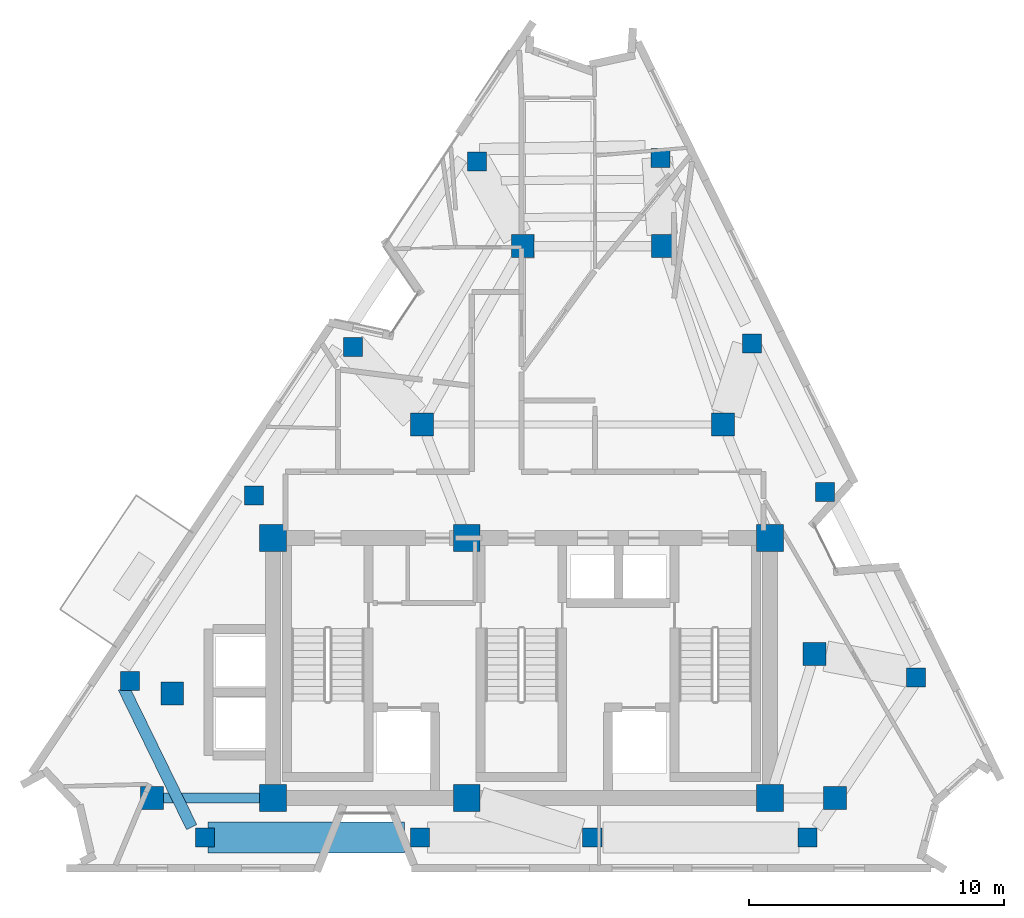
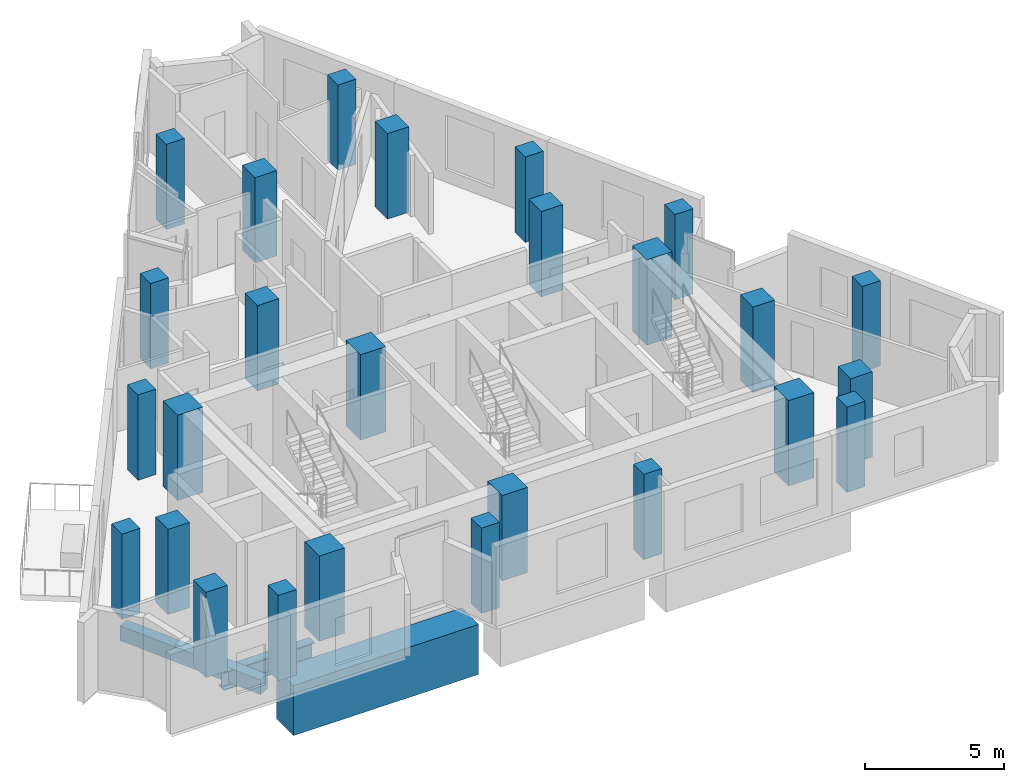
# One storey, part 1 of 10: 26 columns, 3 beams.
"""IFC4 building model written with IfcOpenShell, lengths in metres."""

from ifc_helpers import new_model, si_unit, direction, frame, origin, origin_2d, place, context, subcontext, project, spatial, rectangle, i_section, extrude, material, material_profile, profile_set, type_object, element, save


model = new_model("IFC4")

# Units and contexts
model_context = context("Model", 3, precision=1e-05, world=origin(), true_north=direction((0.0, 1.0)))
body_context = subcontext(model_context, "Body", "Model", "MODEL_VIEW")
ifc_project = project(units=[si_unit("LENGTHUNIT", "METRE"), si_unit("AREAUNIT", "SQUARE_METRE"), si_unit("VOLUMEUNIT", "CUBIC_METRE"), si_unit("PLANEANGLEUNIT", "RADIAN"), si_unit("MASSUNIT", "GRAM", prefix="KILO")], contexts=[model_context])

# Site, building, storey
site_placement = place(None, origin())
site = spatial("IfcSite", under=ifc_project, at=site_placement, CompositionType="ELEMENT")
building_placement = place(site_placement, origin())
building = spatial("IfcBuilding", under=site, at=building_placement, Name="Almagre Mirador Tower", CompositionType="ELEMENT")
storey_placement = place(building_placement, frame((0.0, 0.0, 270.75)))
storey = spatial("IfcBuildingStorey", under=building, at=storey_placement, Name="L70", CompositionType="ELEMENT", Elevation=270.75)

# Columns
ifc_material_1 = material(Name="Concrete C60/75", Category="concrete")
ifc_material_profile_1 = material_profile(ifc_material_1, rectangle(XDim=1.050048828125, YDim=1.050048828125, at=origin_2d()), Name="RC1050X1050")
ifc_profile_set_1 = profile_set([ifc_material_profile_1], Name="Concrete C60/75")
column_type_1 = type_object("IfcColumnType", Name="COL-RC1050", PredefinedType="COLUMN", material=ifc_profile_set_1)
for number, where, z_axis, x_axis, name in (
    (1, (27.550048828125, 4.550048828125, 0.0), (0.0, 0.0, 1.0), (1.0, 0.0, 0.0), "L70 core spine column CC1"),
    (2, (35.14990234375, 4.550048828125, 0.0), (0.0, 0.0, 1.0), (1.0, 0.0, 0.0), "L70 core spine column CC2"),
    (3, (47.050048828125, 4.550048828125, 0.0), (0.0, 0.0, 1.0), (1.0, 0.0, 0.0), "L70 core spine column CC3"),
    (4, (27.550048828125, 14.75, 0.0), (0.0, 0.0, 1.0), (1.0, 0.0, 0.0), "L70 core spine column CC4"),
    (5, (35.14990234375, 14.75, 0.0), (0.0, 0.0, 1.0), (1.0, 0.0, 0.0), "L70 core spine column CC5"),
    (6, (47.050048828125, 14.75, 0.0), (0.0, 0.0, 1.0), (1.0, 0.0, 0.0), "L70 core spine column CC6"),
):
    element("IfcColumn", number, at=place(storey_placement, frame(where, z_axis=z_axis, x_axis=x_axis)), inside=storey, type_object=column_type_1, Name=name, PredefinedType="COLUMN", context=body_context, shape_type="SweptSolid", body=[
        extrude(rectangle(XDim=1.050048828125, YDim=1.050048828125, at=origin_2d()), origin(), (0.0, 0.0, 1.0), 3.75),
    ])
ifc_material_2 = material(Name="Concrete C60/75", Category="concrete")
ifc_material_profile_2 = material_profile(ifc_material_2, rectangle(XDim=0.75, YDim=0.75, at=origin_2d()), Name="RC750X750")
ifc_profile_set_2 = profile_set([ifc_material_profile_2], Name="Concrete C60/75")
column_type_2 = type_object("IfcColumnType", Name="COL-RC750", PredefinedType="COLUMN", material=ifc_profile_set_2)
for number, where, z_axis, x_axis, name in (
    (7, (24.884033203125, 3.0, 0.0), (0.0, 0.0, 1.0), (1.0, 0.0, 0.0), "L70 perimeter column PC01"),
    (8, (33.323974609375, 3.0, 0.0), (0.0, 0.0, 1.0), (1.0, 0.0, 0.0), "L70 perimeter column PC02"),
    (9, (40.075927734375, 3.0, 0.0), (0.0, 0.0, 1.0), (1.0, 0.0, 0.0), "L70 perimeter column PC03"),
    (10, (48.51611328125, 3.0, 0.0), (0.0, 0.0, 1.0), (1.0, 0.0, 0.0), "L70 perimeter column PC04"),
    (11, (52.784912109375, 9.278076171875, 0.0), (0.0, 0.0, 1.0), (1.0, 0.0, 0.0), "L70 perimeter column PC05"),
    (12, (49.205078125, 16.55810546875, 0.0), (0.0, 0.0, 1.0), (1.0, 0.0, 0.0), "L70 perimeter column PC06"),
    (13, (46.341064453125, 22.382080078125, 0.0), (0.0, 0.0, 1.0), (1.0, 0.0, 0.0), "L70 perimeter column PC07"),
    (14, (42.760986328125, 29.662109375, 0.0), (0.0, 0.0, 1.0), (1.0, 0.0, 0.0), "L70 perimeter column PC08"),
    (15, (35.552001953125, 29.52587890625, 0.0), (0.0, 0.0, 1.0), (1.0, 0.0, 0.0), "L70 perimeter column PC09"),
    (16, (30.69189453125, 22.24609375, 0.0), (0.0, 0.0, 1.0), (1.0, 0.0, 0.0), "L70 perimeter column PC10"),
    (17, (26.803955078125, 16.422119140625, 0.0), (0.0, 0.0, 1.0), (1.0, 0.0, 0.0), "L70 perimeter column PC11"),
    (18, (21.944091796875, 9.14208984375, 0.0), (0.0, 0.0, 1.0), (1.0, 0.0, 0.0), "L70 perimeter column PC12"),
):
    element("IfcColumn", number, at=place(storey_placement, frame(where, z_axis=z_axis, x_axis=x_axis)), inside=storey, type_object=column_type_2, Name=name, PredefinedType="COLUMN", context=body_context, shape_type="SweptSolid", body=[
        extrude(rectangle(XDim=0.75, YDim=0.75, at=origin_2d()), origin(), (0.0, 0.0, 1.0), 3.75),
    ])
ifc_material_3 = material(Name="Concrete C60/75", Category="concrete")
ifc_material_profile_3 = material_profile(ifc_material_3, rectangle(XDim=0.89990234375, YDim=0.89990234375, at=origin_2d()), Name="RC900X900")
ifc_profile_set_3 = profile_set([ifc_material_profile_3], Name="Concrete C60/75")
column_type_3 = type_object("IfcColumnType", Name="COL-RC900", PredefinedType="COLUMN", material=ifc_profile_set_3)
for number, where, z_axis, x_axis, name in (
    (19, (22.800048828125, 4.550048828125, 0.0), (0.0, 0.0, 1.0), (1.0, 0.0, 0.0), "L70 interior transfer column MC1"),
    (20, (49.60009765625, 4.550048828125, 0.0), (0.0, 0.0, 1.0), (1.0, 0.0, 0.0), "L70 interior transfer column MC2"),
    (21, (48.800048828125, 10.199951171875, 0.0), (0.0, 0.0, 1.0), (1.0, 0.0, 0.0), "L70 interior transfer column MC3"),
    (22, (45.199951171875, 19.199951171875, 0.0), (0.0, 0.0, 1.0), (1.0, 0.0, 0.0), "L70 interior transfer column MC5"),
    (23, (42.85009765625, 26.199951171875, 0.0), (0.0, 0.0, 1.0), (1.0, 0.0, 0.0), "L70 interior transfer column MC6"),
    (24, (37.35009765625, 26.199951171875, 0.0), (0.0, 0.0, 1.0), (1.0, 0.0, 0.0), "L70 interior transfer column MC7"),
    (25, (33.39990234375, 19.199951171875, 0.0), (0.0, 0.0, 1.0), (1.0, 0.0, 0.0), "L70 interior transfer column MC8"),
    (26, (23.60009765625, 8.64990234375, 0.0), (0.0, 0.0, 1.0), (1.0, 0.0, 0.0), "L70 interior transfer column MC10"),
):
    element("IfcColumn", number, at=place(storey_placement, frame(where, z_axis=z_axis, x_axis=x_axis)), inside=storey, type_object=column_type_3, Name=name, PredefinedType="COLUMN", context=body_context, shape_type="SweptSolid", body=[
        extrude(rectangle(XDim=0.89990234375, YDim=0.89990234375, at=origin_2d()), origin(), (0.0, 0.0, 1.0), 3.75),
    ])

# Beams
ifc_material_4 = material(Name="Precast concrete C50/60", Category="concrete")
ifc_material_profile_4 = material_profile(ifc_material_4, rectangle(XDim=0.449951171875, YDim=0.64990234375, at=origin_2d()), Name="RC450X650")
ifc_profile_set_4 = profile_set([ifc_material_profile_4], Name="Precast concrete C50/60")
beam_type_1 = type_object("IfcBeamType", Name="BM-SPN-RC450X650", PredefinedType="SPANDREL", material=ifc_profile_set_4)
beam_1_placement = place(storey_placement, frame((21.688720703125, 8.872802734375, -0.574951171875), z_axis=(0.439222360978, -0.898378382207, 0.0), x_axis=(0.898378382207, 0.439222360978, 0.0)))
element("IfcBeam", 27, at=beam_1_placement, inside=storey, type_object=beam_type_1, Name="L70 perimeter spandrel beam PC12-PC01", PredefinedType="SPANDREL", context=body_context, shape_type="SweptSolid", body=[
    extrude(rectangle(XDim=0.449951171875, YDim=0.64990234375, at=origin_2d()), origin(), (0.0, 0.0, 1.0), 6.087158203125),
])
ifc_material_5 = material(Name="Steel ASTM A992 Grade 50", Category="steel")
ifc_material_profile_5 = material_profile(ifc_material_5, i_section(OverallWidth=0.384033203125, OverallDepth=0.784912109375, WebThickness=0.019775390625, FlangeThickness=0.033447265625, FilletRadius=0.02392578125, at=origin_2d()), Name="W30X211")
ifc_profile_set_5 = profile_set([ifc_material_profile_5], Name="Steel ASTM A992 Grade 50")
beam_type_2 = type_object("IfcBeamType", Name="BM-STL-W30X211", PredefinedType="BEAM", material=ifc_profile_set_5)
beam_2_placement = place(storey_placement, frame((23.25, 4.550048828125, -0.642578125), z_axis=(1.0, 0.0, 0.0), x_axis=(0.0, 1.0, 0.0)))
element("IfcBeam", 28, at=beam_2_placement, inside=storey, type_object=beam_type_2, Name="L70 core tie girder MC1-CC1", PredefinedType="BEAM", context=body_context, shape_type="SweptSolid", body=[
    extrude(i_section(OverallWidth=0.384033203125, OverallDepth=0.784912109375, WebThickness=0.019775390625, FlangeThickness=0.033447265625, FilletRadius=0.02392578125, at=origin_2d()), origin(), (0.0, 0.0, 1.0), 3.77490234375),
])
ifc_material_6 = material(Name="Concrete C60/75", Category="concrete")
ifc_material_profile_6 = material_profile(ifc_material_6, rectangle(XDim=1.199951171875, YDim=2.199951171875, at=origin_2d()), Name="RC1200X2200")
ifc_profile_set_6 = profile_set([ifc_material_profile_6], Name="Concrete C60/75")
beam_type_3 = type_object("IfcBeamType", Name="BM-XFER-RC1200X2200", PredefinedType="BEAM", material=ifc_profile_set_6)
beam_3_placement = place(storey_placement, frame((25.010009765625, 3.0, -1.35009765625), z_axis=(1.0, 0.0, 0.0), x_axis=(0.0, 1.0, 0.0)))
element("IfcBeam", 29, at=beam_3_placement, inside=storey, type_object=beam_type_3, Name="L70 perimeter spandrel beam PC01-PC02", PredefinedType="BEAM", context=body_context, shape_type="SweptSolid", body=[
    extrude(rectangle(XDim=1.199951171875, YDim=2.199951171875, at=origin_2d()), origin(), (0.0, 0.0, 1.0), 7.699951171875),
])

save(model, "model.ifc")
